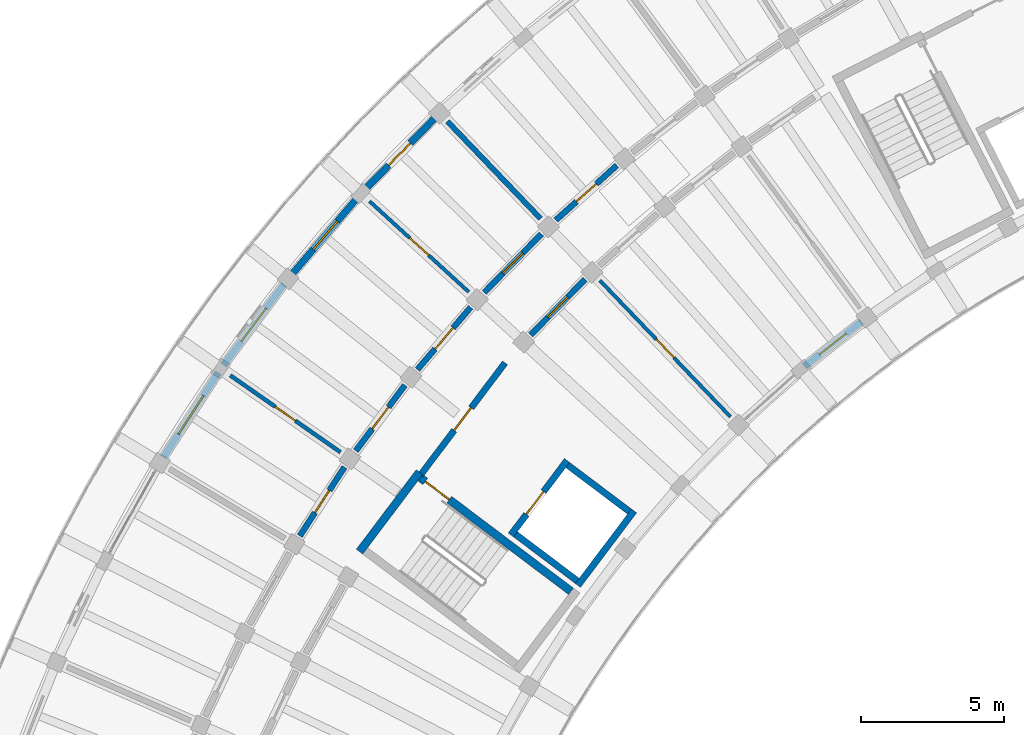
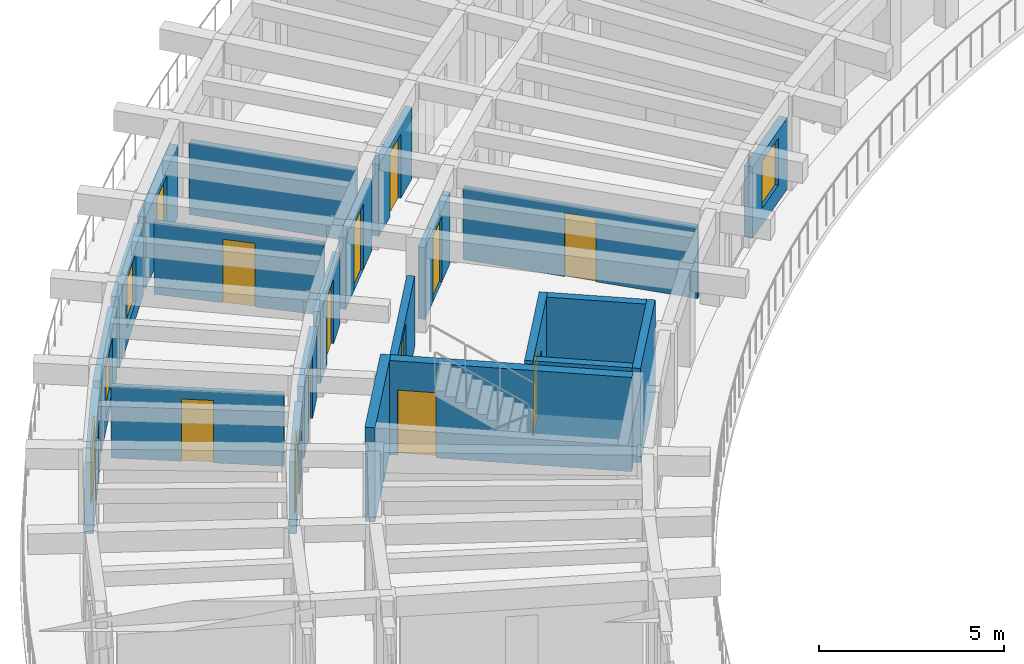
# One storey, part 43 of 78: 22 walls, 13 doors, 4 windows, 17 openings.
"""IFC4 building model written with IfcOpenShell, lengths in metres."""

from ifc_helpers import new_model, si_unit, direction, frame, frame_2d, origin, place, context, subcontext, project, spatial, rectangle, extrude, material, layer, layer_set, type_object, element, fill, save


model = new_model("IFC4")

# Units and contexts
model_context = context("Model", 3, precision=1e-05, world=origin(), true_north=direction((0.0, 1.0)))
body_context = subcontext(model_context, "Body", "Model", "MODEL_VIEW")
ifc_project = project(units=[si_unit("LENGTHUNIT", "METRE"), si_unit("AREAUNIT", "SQUARE_METRE"), si_unit("VOLUMEUNIT", "CUBIC_METRE"), si_unit("PLANEANGLEUNIT", "RADIAN"), si_unit("MASSUNIT", "GRAM", prefix="KILO")], contexts=[model_context])

# Site, building, storey
site_placement = place(None, origin())
site = spatial("IfcSite", under=ifc_project, at=site_placement, CompositionType="ELEMENT")
building_placement = place(site_placement, origin())
building = spatial("IfcBuilding", under=site, at=building_placement, Name="Tanwirah Colonnade Gardens", CompositionType="ELEMENT")
storey_placement = place(building_placement, frame((0.0, 0.0, 22.280029296875)))
storey = spatial("IfcBuildingStorey", under=building, at=storey_placement, Name="L06", CompositionType="ELEMENT", Elevation=22.280029296875)

# Wall, opening, window
ifc_material_1 = material(Name="Limestone architectural precast concrete C40/50", Category="masonry")
ifc_layer_1 = layer(ifc_material_1, 0.2451171875)
ifc_layer_set_1 = layer_set([ifc_layer_1], Name="Limestone architectural precast concrete C40/50")
wall_type_1 = type_object("IfcWallType", Name="EW-PC245", PredefinedType="SOLIDWALL", material=ifc_layer_set_1)
wall_1_placement = place(storey_placement, frame((38.541015625, 95.907958984375, 0.0), z_axis=(0.0, 0.0, 1.0), x_axis=(-0.786831325151, -0.617168101704, 0.0)))
wall_1 = element("IfcWall", 1, at=wall_1_placement, inside=storey, type_object=wall_type_1, Name="Block A L06 IN Precast Facade Wall 8", PredefinedType="SOLIDWALL", context=body_context, shape_type="SweptSolid", body=[
    extrude(rectangle(XDim=2.525390625, YDim=0.2451171875, at=frame_2d((1.2626953125, 0.0))), origin(), (0.0, 0.0, 1.0), 2.35498046875),
])
opening_1_placement = place(wall_1_placement, frame((0.66259765625, 0.0, 0.550048828125)))
opening_1 = element("IfcOpeningElement", 2, at=opening_1_placement, cuts=wall_1, Name="Opening WIN-T02", PredefinedType="OPENING", context=body_context, shape_type="SweptSolid", body=[
    extrude(rectangle(XDim=1.199951171875, YDim=1.550048828125, at=frame_2d((0.60009765625, 0.77490234375))), frame((0.0, 0.132568359375, 0.0), z_axis=(0.0, -1.0, 0.0), x_axis=(1.0, 0.0, 0.0)), (0.0, 0.0, 1.0), 0.26513671875),
])
ifc_material_2 = material(Name="Thermally broken bronze aluminium and solar low-E double glazing", Category="aluminium")
window_type_1 = type_object("IfcWindowType", Name="WIN-T02", PartitioningType="SINGLE_PANEL", PredefinedType="WINDOW", material=ifc_material_2)
window_1_placement = place(opening_1_placement, origin())
window_1 = element("IfcWindow", 3, at=window_1_placement, inside=storey, type_object=window_type_1, Name="Facade window A-L06-IN-08", OverallHeight=1.550048828125, OverallWidth=1.199951171875, PartitioningType="SINGLE_PANEL", PredefinedType="WINDOW", context=body_context, shape_type="SweptSolid", body=[
    extrude(rectangle(XDim=1.199951171875, YDim=1.550048828125, at=frame_2d((0.60009765625, 0.77490234375))), frame((0.0, 0.030029296875, 0.0), z_axis=(0.0, -1.0, 0.0), x_axis=(1.0, 0.0, 0.0)), (0.0, 0.0, 1.0), 0.06005859375),
])
fill(opening_1, window_1)

# Wall, opening, door
wall_2_placement = place(storey_placement, frame((23.62841796875, 103.021484375, 0.0), z_axis=(0.0, 0.0, 1.0), x_axis=(-0.698841852324, -0.715276216186, 0.0)))
wall_2 = element("IfcWall", 4, at=wall_2_placement, inside=storey, type_object=wall_type_1, Name="Block A L06 OUT Precast Facade Wall 10", PredefinedType="SOLIDWALL", context=body_context, shape_type="SweptSolid", body=[
    extrude(rectangle(XDim=3.520751953125, YDim=0.2451171875, at=frame_2d((1.76025390625, 0.0))), origin(), (0.0, 0.0, 1.0), 2.35498046875),
])
opening_2_placement = place(wall_2_placement, frame((1.22021484375, 0.0, 0.0)))
opening_2 = element("IfcOpeningElement", 5, at=opening_2_placement, cuts=wall_2, Name="Opening L06-ED030", PredefinedType="OPENING", context=body_context, shape_type="SweptSolid", body=[
    extrude(rectangle(XDim=1.080078125, YDim=2.14990234375, at=frame_2d((0.5400390625, 1.074951171875))), frame((0.0, 0.132568359375, 0.0), z_axis=(0.0, -1.0, 0.0), x_axis=(1.0, 0.0, 0.0)), (0.0, 0.0, 1.0), 0.26513671875),
])
ifc_material_3 = material(Name="Bronze aluminium glazed balcony door", Category="aluminium")
door_type_1 = type_object("IfcDoorType", Name="ED-BAL108", OperationType="NOTDEFINED", PredefinedType="DOOR", material=ifc_material_3)
door_1_placement = place(opening_2_placement, origin())
door_1 = element("IfcDoor", 6, at=door_1_placement, inside=storey, type_object=door_type_1, Name="Balcony glazed door L06-ED030", OperationType="SINGLE_SWING_LEFT", OverallHeight=2.14990234375, OverallWidth=1.080078125, PredefinedType="DOOR", context=body_context, shape_type="SweptSolid", body=[
    extrude(rectangle(XDim=1.080078125, YDim=2.14990234375, at=frame_2d((0.5400390625, 1.074951171875))), frame((0.0, 0.02490234375, 0.0), z_axis=(0.0, -1.0, 0.0), x_axis=(1.0, 0.0, 0.0)), (0.0, 0.0, 1.0), 0.050048828125),
])
fill(opening_2, door_1)

# Wall, opening, window
wall_3_placement = place(storey_placement, frame((20.9521484375, 100.267333984375, 0.0), z_axis=(0.0, 0.0, 1.0), x_axis=(-0.65016298181, -0.759794773004, 0.0)))
wall_3 = element("IfcWall", 7, at=wall_3_placement, inside=storey, type_object=wall_type_1, Name="Block A L06 OUT Precast Facade Wall 11", PredefinedType="SOLIDWALL", context=body_context, shape_type="SweptSolid", body=[
    extrude(rectangle(XDim=3.520751953125, YDim=0.2451171875, at=frame_2d((1.76025390625, 0.0))), origin(), (0.0, 0.0, 1.0), 2.35498046875),
])
opening_3_placement = place(wall_3_placement, frame((1.1103515625, 0.0, 0.550048828125)))
opening_3 = element("IfcOpeningElement", 8, at=opening_3_placement, cuts=wall_3, Name="Opening WIN-T04", PredefinedType="OPENING", context=body_context, shape_type="SweptSolid", body=[
    extrude(rectangle(XDim=1.300048828125, YDim=1.60009765625, at=frame_2d((0.64990234375, 0.800048828125))), frame((0.0, 0.132568359375, 0.0), z_axis=(0.0, -1.0, 0.0), x_axis=(1.0, 0.0, 0.0)), (0.0, 0.0, 1.0), 0.26513671875),
])
window_type_2 = type_object("IfcWindowType", Name="WIN-T04", PartitioningType="DOUBLE_PANEL_VERTICAL", PredefinedType="WINDOW", material=ifc_material_2)
window_2_placement = place(opening_3_placement, origin())
window_2 = element("IfcWindow", 9, at=window_2_placement, inside=storey, type_object=window_type_2, Name="Facade window A-L06-OUT-11", OverallHeight=1.60009765625, OverallWidth=1.300048828125, PartitioningType="SINGLE_PANEL", PredefinedType="WINDOW", context=body_context, shape_type="SweptSolid", body=[
    extrude(rectangle(XDim=1.300048828125, YDim=1.60009765625, at=frame_2d((0.64990234375, 0.800048828125))), frame((0.0, 0.030029296875, 0.0), z_axis=(0.0, -1.0, 0.0), x_axis=(1.0, 0.0, 0.0)), (0.0, 0.0, 1.0), 0.06005859375),
])
fill(opening_3, window_2)

wall_4_placement = place(storey_placement, frame((18.35693359375, 97.2099609375, 0.0), z_axis=(0.0, 0.0, 1.0), x_axis=(-0.598701122926, -0.800972512267, 0.0)))
wall_4 = element("IfcWall", 10, at=wall_4_placement, inside=storey, type_object=wall_type_1, Name="Block A L06 OUT Precast Facade Wall 12", PredefinedType="SOLIDWALL", context=body_context, shape_type="SweptSolid", body=[
    extrude(rectangle(XDim=3.520751953125, YDim=0.2451171875, at=frame_2d((1.76025390625, 0.0))), origin(), (0.0, 0.0, 1.0), 2.35498046875),
])
opening_4_placement = place(wall_4_placement, frame((1.035400390625, 0.0, 0.35009765625)))
opening_4 = element("IfcOpeningElement", 11, at=opening_4_placement, cuts=wall_4, Name="Opening WIN-T07", PredefinedType="OPENING", context=body_context, shape_type="SweptSolid", body=[
    extrude(rectangle(XDim=1.449951171875, YDim=1.699951171875, at=frame_2d((0.72509765625, 0.85009765625))), frame((0.0, 0.132568359375, 0.0), z_axis=(0.0, -1.0, 0.0), x_axis=(1.0, 0.0, 0.0)), (0.0, 0.0, 1.0), 0.26513671875),
])
window_type_3 = type_object("IfcWindowType", Name="WIN-T07", PartitioningType="DOUBLE_PANEL_VERTICAL", PredefinedType="WINDOW", material=ifc_material_2)
window_3_placement = place(opening_4_placement, origin())
window_3 = element("IfcWindow", 12, at=window_3_placement, inside=storey, type_object=window_type_3, Name="Facade window A-L06-OUT-12", OverallHeight=1.699951171875, OverallWidth=1.449951171875, PartitioningType="SINGLE_PANEL", PredefinedType="WINDOW", context=body_context, shape_type="SweptSolid", body=[
    extrude(rectangle(XDim=1.449951171875, YDim=1.699951171875, at=frame_2d((0.72509765625, 0.85009765625))), frame((0.0, 0.030029296875, 0.0), z_axis=(0.0, -1.0, 0.0), x_axis=(1.0, 0.0, 0.0)), (0.0, 0.0, 1.0), 0.06005859375),
])
fill(opening_4, window_3)

wall_5_placement = place(storey_placement, frame((16.066162109375, 94.127685546875, 0.0), z_axis=(0.0, 0.0, 1.0), x_axis=(-0.544610510414, -0.838689091349, 0.0)))
wall_5 = element("IfcWall", 13, at=wall_5_placement, inside=storey, type_object=wall_type_1, Name="Block A L06 OUT Precast Facade Wall 13", PredefinedType="SOLIDWALL", context=body_context, shape_type="SweptSolid", body=[
    extrude(rectangle(XDim=3.520751953125, YDim=0.2451171875, at=frame_2d((1.76025390625, 0.0))), origin(), (0.0, 0.0, 1.0), 2.35498046875),
])
opening_5_placement = place(wall_5_placement, frame((0.960205078125, 0.0, 0.35009765625)))
opening_5 = element("IfcOpeningElement", 14, at=opening_5_placement, cuts=wall_5, Name="Opening WIN-T10", PredefinedType="OPENING", context=body_context, shape_type="SweptSolid", body=[
    extrude(rectangle(XDim=1.60009765625, YDim=1.75, at=frame_2d((0.800048828125, 0.875))), frame((0.0, 0.132568359375, 0.0), z_axis=(0.0, -1.0, 0.0), x_axis=(1.0, 0.0, 0.0)), (0.0, 0.0, 1.0), 0.26513671875),
])
window_type_4 = type_object("IfcWindowType", Name="WIN-T10", PartitioningType="DOUBLE_PANEL_VERTICAL", PredefinedType="WINDOW", material=ifc_material_2)
window_4_placement = place(opening_5_placement, origin())
window_4 = element("IfcWindow", 15, at=window_4_placement, inside=storey, type_object=window_type_4, Name="Facade window A-L06-OUT-13", OverallHeight=1.75, OverallWidth=1.60009765625, PartitioningType="SINGLE_PANEL", PredefinedType="WINDOW", context=body_context, shape_type="SweptSolid", body=[
    extrude(rectangle(XDim=1.60009765625, YDim=1.75, at=frame_2d((0.800048828125, 0.875))), frame((0.0, 0.030029296875, 0.0), z_axis=(0.0, -1.0, 0.0), x_axis=(1.0, 0.0, 0.0)), (0.0, 0.0, 1.0), 0.06005859375),
])
fill(opening_5, window_4)

# Wall, opening, door
ifc_material_4 = material(Name="Precast concrete C40/50", Category="concrete")
ifc_layer_2 = layer(ifc_material_4, 0.205078125)
ifc_layer_set_2 = layer_set([ifc_layer_2], Name="Precast concrete C40/50")
wall_type_2 = type_object("IfcWallType", Name="IW-CORR205", PredefinedType="PARTITIONING", material=ifc_layer_set_2)
wall_6_placement = place(storey_placement, frame((29.996826171875, 101.37109375, 0.0), z_axis=(0.0, 0.0, 1.0), x_axis=(-0.744433521088, -0.667696587291, 0.0)))
wall_6 = element("IfcWall", 16, at=wall_6_placement, inside=storey, type_object=wall_type_2, Name="Block A L06 OUT Corridor Wall 9", PredefinedType="PARTITIONING", context=body_context, shape_type="SweptSolid", body=[
    extrude(rectangle(XDim=2.86328125, YDim=0.205078125, at=frame_2d((1.431640625, 0.0))), origin(), (0.0, 0.0, 1.0), 2.369873046875),
])
opening_6_placement = place(wall_6_placement, frame((0.966552734375, 0.0, 0.0)))
opening_6 = element("IfcOpeningElement", 17, at=opening_6_placement, cuts=wall_6, Name="Opening L06-AD493", PredefinedType="OPENING", context=body_context, shape_type="SweptSolid", body=[
    extrude(rectangle(XDim=0.929931640625, YDim=2.1201171875, at=frame_2d((0.46484375, 1.06005859375))), frame((0.0, 0.112548828125, 0.0), z_axis=(0.0, -1.0, 0.0), x_axis=(1.0, 0.0, 0.0)), (0.0, 0.0, 1.0), 0.22509765625),
])
ifc_material_5 = material(Name="Solid oak fire-resisting apartment entrance door")
door_type_2 = type_object("IfcDoorType", Name="ID-FLT093", OperationType="NOTDEFINED", PredefinedType="DOOR", material=ifc_material_5)
door_2_placement = place(opening_6_placement, origin())
door_2 = element("IfcDoor", 18, at=door_2_placement, inside=storey, type_object=door_type_2, Name="Apartment corridor door L06-AD493", OperationType="SINGLE_SWING_RIGHT", OverallHeight=2.1201171875, OverallWidth=0.929931640625, PredefinedType="DOOR", context=body_context, shape_type="SweptSolid", body=[
    extrude(rectangle(XDim=0.929931640625, YDim=2.1201171875, at=frame_2d((0.46484375, 1.06005859375))), frame((0.0, 0.02490234375, 0.0), z_axis=(0.0, -1.0, 0.0), x_axis=(1.0, 0.0, 0.0)), (0.0, 0.0, 1.0), 0.050048828125),
])
fill(opening_6, door_2)

wall_7_placement = place(storey_placement, frame((27.360107421875, 98.975341796875, 0.0), z_axis=(0.0, 0.0, 1.0), x_axis=(-0.698787219683, -0.715329589496, 0.0)))
wall_7 = element("IfcWall", 19, at=wall_7_placement, inside=storey, type_object=wall_type_2, Name="Block A L06 OUT Corridor Wall 10", PredefinedType="PARTITIONING", context=body_context, shape_type="SweptSolid", body=[
    extrude(rectangle(XDim=2.863037109375, YDim=0.205078125, at=frame_2d((1.431640625, 0.0))), origin(), (0.0, 0.0, 1.0), 2.369873046875),
])
opening_7_placement = place(wall_7_placement, frame((0.9365234375, 0.0, 0.0)))
opening_7 = element("IfcOpeningElement", 20, at=opening_7_placement, cuts=wall_7, Name="Opening L06-AD496", PredefinedType="OPENING", context=body_context, shape_type="SweptSolid", body=[
    extrude(rectangle(XDim=0.989990234375, YDim=2.159912109375, at=frame_2d((0.4951171875, 1.080078125))), frame((0.0, 0.112548828125, 0.0), z_axis=(0.0, -1.0, 0.0), x_axis=(1.0, 0.0, 0.0)), (0.0, 0.0, 1.0), 0.22509765625),
])
door_type_3 = type_object("IfcDoorType", Name="ID-FLT099", OperationType="NOTDEFINED", PredefinedType="DOOR", material=ifc_material_5)
door_3_placement = place(opening_7_placement, origin())
door_3 = element("IfcDoor", 21, at=door_3_placement, inside=storey, type_object=door_type_3, Name="Apartment corridor door L06-AD496", OperationType="SINGLE_SWING_LEFT", OverallHeight=2.159912109375, OverallWidth=0.989990234375, PredefinedType="DOOR", context=body_context, shape_type="SweptSolid", body=[
    extrude(rectangle(XDim=0.989990234375, YDim=2.159912109375, at=frame_2d((0.4951171875, 1.080078125))), frame((0.0, 0.02490234375, 0.0), z_axis=(0.0, -1.0, 0.0), x_axis=(1.0, 0.0, 0.0)), (0.0, 0.0, 1.0), 0.050048828125),
])
fill(opening_7, door_3)

wall_8_placement = place(storey_placement, frame((28.88232421875, 97.38671875, 0.0), z_axis=(0.0, 0.0, 1.0), x_axis=(-0.698840007829, -0.715278018296, 0.0)))
wall_8 = element("IfcWall", 22, at=wall_8_placement, inside=storey, type_object=wall_type_2, Name="Block A L06 IN Corridor Wall 10", PredefinedType="PARTITIONING", context=body_context, shape_type="SweptSolid", body=[
    extrude(rectangle(XDim=2.718017578125, YDim=0.205078125, at=frame_2d((1.35888671875, 0.0))), origin(), (0.0, 0.0, 1.0), 2.369873046875),
])
opening_8_placement = place(wall_8_placement, frame((0.864013671875, 0.0, 0.0)))
opening_8 = element("IfcOpeningElement", 23, at=opening_8_placement, cuts=wall_8, Name="Opening L06-AD497", PredefinedType="OPENING", context=body_context, shape_type="SweptSolid", body=[
    extrude(rectangle(XDim=0.989990234375, YDim=2.159912109375, at=frame_2d((0.4951171875, 1.080078125))), frame((0.0, 0.112548828125, 0.0), z_axis=(0.0, -1.0, 0.0), x_axis=(1.0, 0.0, 0.0)), (0.0, 0.0, 1.0), 0.22509765625),
])
door_4_placement = place(opening_8_placement, origin())
door_4 = element("IfcDoor", 24, at=door_4_placement, inside=storey, type_object=door_type_3, Name="Apartment corridor door L06-AD497", OperationType="SINGLE_SWING_RIGHT", OverallHeight=2.159912109375, OverallWidth=0.989990234375, PredefinedType="DOOR", context=body_context, shape_type="SweptSolid", body=[
    extrude(rectangle(XDim=0.989990234375, YDim=2.159912109375, at=frame_2d((0.4951171875, 1.080078125))), frame((0.0, 0.02490234375, 0.0), z_axis=(0.0, -1.0, 0.0), x_axis=(1.0, 0.0, 0.0)), (0.0, 0.0, 1.0), 0.050048828125),
])
fill(opening_8, door_4)

wall_9_placement = place(storey_placement, frame((24.88720703125, 96.4111328125, 0.0), z_axis=(0.0, 0.0, 1.0), x_axis=(-0.650194272684, -0.759767996015, 0.0)))
wall_9 = element("IfcWall", 25, at=wall_9_placement, inside=storey, type_object=wall_type_2, Name="Block A L06 OUT Corridor Wall 11", PredefinedType="PARTITIONING", context=body_context, shape_type="SweptSolid", body=[
    extrude(rectangle(XDim=2.863037109375, YDim=0.205078125, at=frame_2d((1.431640625, 0.0))), origin(), (0.0, 0.0, 1.0), 2.369873046875),
])
opening_9_placement = place(wall_9_placement, frame((0.946533203125, 0.0, 0.0)))
opening_9 = element("IfcOpeningElement", 26, at=opening_9_placement, cuts=wall_9, Name="Opening L06-AD499", PredefinedType="OPENING", context=body_context, shape_type="SweptSolid", body=[
    extrude(rectangle(XDim=0.969970703125, YDim=2.14990234375, at=frame_2d((0.48486328125, 1.074951171875))), frame((0.0, 0.112548828125, 0.0), z_axis=(0.0, -1.0, 0.0), x_axis=(1.0, 0.0, 0.0)), (0.0, 0.0, 1.0), 0.22509765625),
])
door_type_4 = type_object("IfcDoorType", Name="ID-FLT097", OperationType="NOTDEFINED", PredefinedType="DOOR", material=ifc_material_5)
door_5_placement = place(opening_9_placement, origin())
door_5 = element("IfcDoor", 27, at=door_5_placement, inside=storey, type_object=door_type_4, Name="Apartment corridor door L06-AD499", OperationType="SINGLE_SWING_RIGHT", OverallHeight=2.14990234375, OverallWidth=0.969970703125, PredefinedType="DOOR", context=body_context, shape_type="SweptSolid", body=[
    extrude(rectangle(XDim=0.969970703125, YDim=2.14990234375, at=frame_2d((0.48486328125, 1.074951171875))), frame((0.0, 0.02490234375, 0.0), z_axis=(0.0, -1.0, 0.0), x_axis=(1.0, 0.0, 0.0)), (0.0, 0.0, 1.0), 0.050048828125),
])
fill(opening_9, door_5)

wall_10_placement = place(storey_placement, frame((22.588623046875, 93.689453125, 0.0), z_axis=(0.0, 0.0, 1.0), x_axis=(-0.598757763243, -0.800930172335, 0.0)))
wall_10 = element("IfcWall", 28, at=wall_10_placement, inside=storey, type_object=wall_type_2, Name="Block A L06 OUT Corridor Wall 12", PredefinedType="PARTITIONING", context=body_context, shape_type="SweptSolid", body=[
    extrude(rectangle(XDim=2.86328125, YDim=0.205078125, at=frame_2d((1.431640625, 0.0))), origin(), (0.0, 0.0, 1.0), 2.369873046875),
])
opening_10_placement = place(wall_10_placement, frame((0.95654296875, 0.0, 0.0)))
opening_10 = element("IfcOpeningElement", 29, at=opening_10_placement, cuts=wall_10, Name="Opening L06-AD500", PredefinedType="OPENING", context=body_context, shape_type="SweptSolid", body=[
    extrude(rectangle(XDim=0.949951171875, YDim=2.1298828125, at=frame_2d((0.47509765625, 1.06494140625))), frame((0.0, 0.112548828125, 0.0), z_axis=(0.0, -1.0, 0.0), x_axis=(1.0, 0.0, 0.0)), (0.0, 0.0, 1.0), 0.22509765625),
])
door_type_5 = type_object("IfcDoorType", Name="ID-FLT095", OperationType="NOTDEFINED", PredefinedType="DOOR", material=ifc_material_5)
door_6_placement = place(opening_10_placement, origin())
door_6 = element("IfcDoor", 30, at=door_6_placement, inside=storey, type_object=door_type_5, Name="Apartment corridor door L06-AD500", OperationType="SINGLE_SWING_LEFT", OverallHeight=2.1298828125, OverallWidth=0.949951171875, PredefinedType="DOOR", context=body_context, shape_type="SweptSolid", body=[
    extrude(rectangle(XDim=0.949951171875, YDim=2.1298828125, at=frame_2d((0.47509765625, 1.06494140625))), frame((0.0, 0.02490234375, 0.0), z_axis=(0.0, -1.0, 0.0), x_axis=(1.0, 0.0, 0.0)), (0.0, 0.0, 1.0), 0.050048828125),
])
fill(opening_10, door_6)

wall_11_placement = place(storey_placement, frame((20.47412109375, 90.822265625, 0.0), z_axis=(0.0, 0.0, 1.0), x_axis=(-0.544643612649, -0.838667595178, 0.0)))
wall_11 = element("IfcWall", 31, at=wall_11_placement, inside=storey, type_object=wall_type_2, Name="Block A L06 OUT Corridor Wall 13", PredefinedType="PARTITIONING", context=body_context, shape_type="SweptSolid", body=[
    extrude(rectangle(XDim=2.863037109375, YDim=0.205078125, at=frame_2d((1.431640625, 0.0))), origin(), (0.0, 0.0, 1.0), 2.369873046875),
])
opening_11_placement = place(wall_11_placement, frame((0.966552734375, 0.0, 0.0)))
opening_11 = element("IfcOpeningElement", 32, at=opening_11_placement, cuts=wall_11, Name="Opening L06-AD502", PredefinedType="OPENING", context=body_context, shape_type="SweptSolid", body=[
    extrude(rectangle(XDim=0.929931640625, YDim=2.1201171875, at=frame_2d((0.46484375, 1.06005859375))), frame((0.0, 0.112548828125, 0.0), z_axis=(0.0, -1.0, 0.0), x_axis=(1.0, 0.0, 0.0)), (0.0, 0.0, 1.0), 0.22509765625),
])
door_7_placement = place(opening_11_placement, origin())
door_7 = element("IfcDoor", 33, at=door_7_placement, inside=storey, type_object=door_type_2, Name="Apartment corridor door L06-AD502", OperationType="SINGLE_SWING_RIGHT", OverallHeight=2.1201171875, OverallWidth=0.929931640625, PredefinedType="DOOR", context=body_context, shape_type="SweptSolid", body=[
    extrude(rectangle(XDim=0.929931640625, YDim=2.1201171875, at=frame_2d((0.46484375, 1.06005859375))), frame((0.0, 0.02490234375, 0.0), z_axis=(0.0, -1.0, 0.0), x_axis=(1.0, 0.0, 0.0)), (0.0, 0.0, 1.0), 0.050048828125),
])
fill(opening_11, door_7)

# Wall
ifc_layer_3 = layer(ifc_material_4, 0.18505859375)
ifc_layer_set_3 = layer_set([ifc_layer_3], Name="Precast concrete C40/50")
wall_type_3 = type_object("IfcWallType", Name="IW-DEM185", PredefinedType="PARTITIONING", material=ifc_layer_set_3)
wall_12_placement = place(storey_placement, frame((27.328125, 99.514404296875, 0.0), z_axis=(0.0, 0.0, 1.0), x_axis=(-0.691882799356, 0.722009828157, 0.0)))
element("IfcWall", 34, at=wall_12_placement, inside=storey, type_object=wall_type_3, Name="Block A L06 Radial Partition 9", PredefinedType="PARTITIONING", context=body_context, shape_type="SweptSolid", body=[
    extrude(rectangle(XDim=4.7001953125, YDim=0.18505859375, at=frame_2d((2.35009765625, 0.0))), origin(), (0.0, 0.0, 1.0), 2.369873046875),
])

# Wall, opening, door
ifc_material_6 = material(Name="Autoclaved aerated masonry blockwork", Category="masonry")
ifc_layer_4 = layer(ifc_material_6, 0.219970703125)
ifc_layer_set_4 = layer_set([ifc_layer_4], Name="Autoclaved aerated masonry blockwork")
wall_type_4 = type_object("IfcWallType", Name="IW-FFL220", PredefinedType="PARTITIONING", material=ifc_layer_set_4)
wall_13_placement = place(storey_placement, frame((23.138916015625, 90.55517578125, 0.0), z_axis=(0.0, 0.0, 1.0), x_axis=(0.601792209296, 0.79865270101, 0.0)))
wall_13 = element("IfcWall", 35, at=wall_13_placement, inside=storey, type_object=wall_type_4, Name="CORE-A2 L06 Enclosed Lobby Fire Wall", PredefinedType="PARTITIONING", context=body_context, shape_type="SweptSolid", body=[
    extrude(rectangle(XDim=4.89990234375, YDim=0.219970703125, at=frame_2d((2.449951171875, 0.0))), origin(), (0.0, 0.0, 1.0), 2.340087890625),
])
opening_12_placement = place(wall_13_placement, frame((1.949951171875, 0.0, 0.0)))
opening_12 = element("IfcOpeningElement", 36, at=opening_12_placement, cuts=wall_13, Name="Opening L06-LD056", PredefinedType="OPENING", context=body_context, shape_type="SweptSolid", body=[
    extrude(rectangle(XDim=0.97998046875, YDim=2.139892578125, at=frame_2d((0.489990234375, 1.06982421875))), frame((0.0, 0.119873046875, 0.0), z_axis=(0.0, -1.0, 0.0), x_axis=(1.0, 0.0, 0.0)), (0.0, 0.0, 1.0), 0.239990234375),
])
ifc_material_7 = material(Name="Acoustic fire-resisting lobby door")
door_type_6 = type_object("IfcDoorType", Name="ID-FFL098", OperationType="NOTDEFINED", PredefinedType="DOOR", material=ifc_material_7)
door_8_placement = place(opening_12_placement, origin())
door_8 = element("IfcDoor", 37, at=door_8_placement, inside=storey, type_object=door_type_6, Name="CORE-A2 L06 Lobby Fire Door L06-LD056", OperationType="SINGLE_SWING_LEFT", OverallHeight=2.139892578125, OverallWidth=0.97998046875, PredefinedType="DOOR", context=body_context, shape_type="SweptSolid", body=[
    extrude(rectangle(XDim=0.97998046875, YDim=2.139892578125, at=frame_2d((0.489990234375, 1.06982421875))), frame((0.0, 0.02490234375, 0.0), z_axis=(0.0, -1.0, 0.0), x_axis=(1.0, 0.0, 0.0)), (0.0, 0.0, 1.0), 0.050048828125),
])
fill(opening_12, door_8)

ifc_material_8 = material(Name="Moisture-resistant gypsum stud partition")
ifc_layer_5 = layer(ifc_material_8, 0.125)
ifc_layer_set_5 = layer_set([ifc_layer_5], Name="Moisture-resistant gypsum stud partition")
wall_type_5 = type_object("IfcWallType", Name="IW-INT125", PredefinedType="PARTITIONING", material=ifc_layer_set_5)
wall_14_placement = place(storey_placement, frame((33.969970703125, 92.5830078125, 0.0), z_axis=(0.0, 0.0, 1.0), x_axis=(-0.691872422458, 0.722019771919, 0.0)))
wall_14 = element("IfcWall", 38, at=wall_14_placement, inside=storey, type_object=wall_type_5, Name="Block A L06 Inner Radial Partition 9", PredefinedType="PARTITIONING", context=body_context, shape_type="SweptSolid", body=[
    extrude(rectangle(XDim=6.60009765625, YDim=0.125, at=frame_2d((3.300048828125, 0.0))), origin(), (0.0, 0.0, 1.0), 2.369873046875),
])
opening_13_placement = place(wall_14_placement, frame((2.85498046875, 0.0, 0.0)))
opening_13 = element("IfcOpeningElement", 39, at=opening_13_placement, cuts=wall_14, Name="Opening L06-RD495", PredefinedType="OPENING", context=body_context, shape_type="SweptSolid", body=[
    extrude(rectangle(XDim=0.889892578125, YDim=2.10009765625, at=frame_2d((0.44482421875, 1.050048828125))), frame((0.0, 0.072509765625, 0.0), z_axis=(0.0, -1.0, 0.0), x_axis=(1.0, 0.0, 0.0)), (0.0, 0.0, 1.0), 0.14501953125),
])
ifc_material_9 = material(Name="Painted hardwood bedroom door", Category="wood")
door_type_7 = type_object("IfcDoorType", Name="ID-RM089", OperationType="NOTDEFINED", PredefinedType="DOOR", material=ifc_material_9)
door_9_placement = place(opening_13_placement, origin())
door_9 = element("IfcDoor", 40, at=door_9_placement, inside=storey, type_object=door_type_7, Name="Internal apartment door L06-RD495", OperationType="SINGLE_SWING_LEFT", OverallHeight=2.10009765625, OverallWidth=0.889892578125, PredefinedType="DOOR", context=body_context, shape_type="SweptSolid", body=[
    extrude(rectangle(XDim=0.889892578125, YDim=2.10009765625, at=frame_2d((0.44482421875, 1.050048828125))), frame((0.0, 0.02490234375, 0.0), z_axis=(0.0, -1.0, 0.0), x_axis=(1.0, 0.0, 0.0)), (0.0, 0.0, 1.0), 0.050048828125),
])
fill(opening_13, door_9)

wall_15_placement = place(storey_placement, frame((24.819580078125, 96.947021484375, 0.0), z_axis=(0.0, 0.0, 1.0), x_axis=(-0.737934199263, 0.674872667663, 0.0)))
wall_15 = element("IfcWall", 41, at=wall_15_placement, inside=storey, type_object=wall_type_5, Name="Block A L06 Radial Partition 10", PredefinedType="PARTITIONING", context=body_context, shape_type="SweptSolid", body=[
    extrude(rectangle(XDim=4.699951171875, YDim=0.125, at=frame_2d((2.35009765625, 0.0))), origin(), (0.0, 0.0, 1.0), 2.369873046875),
])
opening_14_placement = place(wall_15_placement, frame((1.905029296875, 0.0, 0.0)))
opening_14 = element("IfcOpeningElement", 42, at=opening_14_placement, cuts=wall_15, Name="Opening L06-RD498", PredefinedType="OPENING", context=body_context, shape_type="SweptSolid", body=[
    extrude(rectangle(XDim=0.889892578125, YDim=2.10009765625, at=frame_2d((0.44482421875, 1.050048828125))), frame((0.0, 0.072509765625, 0.0), z_axis=(0.0, -1.0, 0.0), x_axis=(1.0, 0.0, 0.0)), (0.0, 0.0, 1.0), 0.14501953125),
])
door_10_placement = place(opening_14_placement, origin())
door_10 = element("IfcDoor", 43, at=door_10_placement, inside=storey, type_object=door_type_7, Name="Internal apartment door L06-RD498", OperationType="SINGLE_SWING_LEFT", OverallHeight=2.10009765625, OverallWidth=0.889892578125, PredefinedType="DOOR", context=body_context, shape_type="SweptSolid", body=[
    extrude(rectangle(XDim=0.889892578125, YDim=2.10009765625, at=frame_2d((0.44482421875, 1.050048828125))), frame((0.0, 0.02490234375, 0.0), z_axis=(0.0, -1.0, 0.0), x_axis=(1.0, 0.0, 0.0)), (0.0, 0.0, 1.0), 0.050048828125),
])
fill(opening_14, door_10)

ifc_material_10 = material(Name="Water-resistant acoustic plumbing partition")
ifc_layer_6 = layer(ifc_material_10, 0.139892578125)
ifc_layer_set_6 = layer_set([ifc_layer_6], Name="Water-resistant acoustic plumbing partition")
wall_type_6 = type_object("IfcWallType", Name="IW-WET140", PredefinedType="PLUMBINGWALL", material=ifc_layer_set_6)
wall_16_placement = place(storey_placement, frame((20.336669921875, 91.3447265625, 0.0), z_axis=(0.0, 0.0, 1.0), x_axis=(-0.820272617205, 0.571972755876, 0.0)))
wall_16 = element("IfcWall", 44, at=wall_16_placement, inside=storey, type_object=wall_type_6, Name="Block A L06 Radial Partition 12", PredefinedType="PLUMBINGWALL", context=body_context, shape_type="SweptSolid", body=[
    extrude(rectangle(XDim=4.699951171875, YDim=0.139892578125, at=frame_2d((2.35009765625, 0.0))), origin(), (0.0, 0.0, 1.0), 2.369873046875),
])
opening_15_placement = place(wall_16_placement, frame((1.919921875, 0.0, 0.0)))
opening_15 = element("IfcOpeningElement", 45, at=opening_15_placement, cuts=wall_16, Name="Opening L06-RD501", PredefinedType="OPENING", context=body_context, shape_type="SweptSolid", body=[
    extrude(rectangle(XDim=0.860107421875, YDim=2.06005859375, at=frame_2d((0.43017578125, 1.030029296875))), frame((0.0, 0.079833984375, 0.0), z_axis=(0.0, -1.0, 0.0), x_axis=(1.0, 0.0, 0.0)), (0.0, 0.0, 1.0), 0.159912109375),
])
ifc_material_11 = material(Name="Moisture-resistant bathroom door")
door_type_8 = type_object("IfcDoorType", Name="ID-WET086", OperationType="NOTDEFINED", PredefinedType="DOOR", material=ifc_material_11)
door_11_placement = place(opening_15_placement, origin())
door_11 = element("IfcDoor", 46, at=door_11_placement, inside=storey, type_object=door_type_8, Name="Internal apartment door L06-RD501", OperationType="SINGLE_SWING_LEFT", OverallHeight=2.06005859375, OverallWidth=0.860107421875, PredefinedType="DOOR", context=body_context, shape_type="SweptSolid", body=[
    extrude(rectangle(XDim=0.860107421875, YDim=2.06005859375, at=frame_2d((0.43017578125, 1.030029296875))), frame((0.0, 0.02490234375, 0.0), z_axis=(0.0, -1.0, 0.0), x_axis=(1.0, 0.0, 0.0)), (0.0, 0.0, 1.0), 0.050048828125),
])
fill(opening_15, door_11)

# Wall
ifc_material_12 = material(Name="Concrete C45/55", Category="concrete")
ifc_layer_7 = layer(ifc_material_12, 0.280029296875)
ifc_layer_set_7 = layer_set([ifc_layer_7], Name="Concrete C45/55")
wall_type_7 = type_object("IfcWallType", Name="SW-CORE280", PredefinedType="SHEAR", material=ifc_layer_set_7)
wall_17_placement = place(storey_placement, frame((21.002685546875, 87.869873046875, 0.0), z_axis=(0.0, 0.0, 1.0), x_axis=(0.601794470585, 0.798650997102, 0.0)))
element("IfcWall", 47, at=wall_17_placement, inside=storey, type_object=wall_type_7, Name="CORE-A2 L06 Stair Shaft Shear Wall NEAR", PredefinedType="SHEAR", context=body_context, shape_type="SweptSolid", body=[
    extrude(rectangle(XDim=3.47998046875, YDim=0.280029296875, at=frame_2d((1.739990234375, 0.0))), origin(), (0.0, 0.0, 1.0), 3.10986328125),
])

# Wall, opening, door
wall_18_placement = place(storey_placement, frame((23.12451171875, 90.453125, 0.0), z_axis=(0.0, 0.0, 1.0), x_axis=(0.798639633744, -0.601809550782, 0.0)))
wall_18 = element("IfcWall", 48, at=wall_18_placement, inside=storey, type_object=wall_type_7, Name="CORE-A2 L06 Stair Shaft Shear Wall RIGHT", PredefinedType="SHEAR", context=body_context, shape_type="SweptSolid", body=[
    extrude(rectangle(XDim=6.599853515625, YDim=0.280029296875, at=frame_2d((3.2998046875, 0.0))), origin(), (0.0, 0.0, 1.0), 3.10986328125),
])
opening_16_placement = place(wall_18_placement, frame((0.219970703125, 0.0, 0.0)))
opening_16 = element("IfcOpeningElement", 49, at=opening_16_placement, cuts=wall_18, Name="Opening L06-SD040", PredefinedType="OPENING", context=body_context, shape_type="SweptSolid", body=[
    extrude(rectangle(XDim=1.050048828125, YDim=2.14990234375, at=frame_2d((0.52490234375, 1.074951171875))), frame((0.0, 0.14990234375, 0.0), z_axis=(0.0, -1.0, 0.0), x_axis=(1.0, 0.0, 0.0)), (0.0, 0.0, 1.0), 0.300048828125),
])
ifc_material_13 = material(Name="Steel fire-resisting stair enclosure door", Category="steel")
door_type_9 = type_object("IfcDoorType", Name="ID-ST105", OperationType="NOTDEFINED", PredefinedType="DOOR", material=ifc_material_13)
door_12_placement = place(opening_16_placement, origin())
door_12 = element("IfcDoor", 50, at=door_12_placement, inside=storey, type_object=door_type_9, Name="CORE-A2 L06 Stair Fire Door L06-SD040", OperationType="SINGLE_SWING_LEFT", OverallHeight=2.14990234375, OverallWidth=1.050048828125, PredefinedType="DOOR", context=body_context, shape_type="SweptSolid", body=[
    extrude(rectangle(XDim=1.050048828125, YDim=2.14990234375, at=frame_2d((0.52490234375, 1.074951171875))), frame((0.0, 0.02490234375, 0.0), z_axis=(0.0, -1.0, 0.0), x_axis=(1.0, 0.0, 0.0)), (0.0, 0.0, 1.0), 0.050048828125),
])
fill(opening_16, door_12)

ifc_layer_8 = layer(ifc_material_12, 0.22998046875)
ifc_layer_set_8 = layer_set([ifc_layer_8], Name="Concrete C45/55")
wall_type_8 = type_object("IfcWallType", Name="SW-LIFT230", PredefinedType="SHEAR", material=ifc_layer_set_8)
wall_19_placement = place(storey_placement, frame((26.2939453125, 88.452880859375, 0.0), z_axis=(0.0, 0.0, 1.0), x_axis=(0.601819781152, 0.798631924615, 0.0)))
wall_19 = element("IfcWall", 51, at=wall_19_placement, inside=storey, type_object=wall_type_8, Name="CORE-A2 L06 Lift Shaft Wall FRONT", PredefinedType="SHEAR", context=body_context, shape_type="SweptSolid", body=[
    extrude(rectangle(XDim=3.260009765625, YDim=0.22998046875, at=frame_2d((1.6298828125, 0.0))), origin(), (0.0, 0.0, 1.0), 3.10986328125),
])
opening_17_placement = place(wall_19_placement, frame((0.89990234375, 0.0, 0.0)))
opening_17 = element("IfcOpeningElement", 52, at=opening_17_placement, cuts=wall_19, Name="Opening L06-LD-PL-A2", PredefinedType="OPENING", context=body_context, shape_type="SweptSolid", body=[
    extrude(rectangle(XDim=1.0, YDim=2.14990234375, at=frame_2d((0.5, 1.074951171875))), frame((0.0, 0.125, 0.0), z_axis=(0.0, -1.0, 0.0), x_axis=(1.0, 0.0, 0.0)), (0.0, 0.0, 1.0), 0.25),
])
ifc_material_14 = material(Name="Bronze stainless steel sliding lift landing door", Category="steel")
door_type_10 = type_object("IfcDoorType", Name="LD-PS10", OperationType="DOUBLE_DOOR_SLIDING", PredefinedType="DOOR", material=ifc_material_14)
door_13_placement = place(opening_17_placement, origin())
door_13 = element("IfcDoor", 53, at=door_13_placement, inside=storey, type_object=door_type_10, Name="Lift PL-A2 L06 Sliding Landing Door", OperationType="DOUBLE_DOOR_SLIDING", OverallHeight=2.14990234375, OverallWidth=1.0, PredefinedType="DOOR", context=body_context, shape_type="SweptSolid", body=[
    extrude(rectangle(XDim=1.0, YDim=2.14990234375, at=frame_2d((0.5, 1.074951171875))), frame((0.0, 0.02490234375, 0.0), z_axis=(0.0, -1.0, 0.0), x_axis=(1.0, 0.0, 0.0)), (0.0, 0.0, 1.0), 0.050048828125),
])
fill(opening_17, door_13)

# Walls
wall_20_placement = place(storey_placement, frame((28.634033203125, 86.689697265625, 0.0), z_axis=(0.0, 0.0, 1.0), x_axis=(0.601819781152, 0.798631924615, 0.0)))
element("IfcWall", 54, at=wall_20_placement, inside=storey, type_object=wall_type_8, Name="CORE-A2 L06 Lift Shaft Wall BACK", PredefinedType="SHEAR", context=body_context, shape_type="SweptSolid", body=[
    extrude(rectangle(XDim=3.260009765625, YDim=0.22998046875, at=frame_2d((1.6298828125, 0.0))), origin(), (0.0, 0.0, 1.0), 3.10986328125),
])
for number, where, z_axis, x_axis, name in (
    (55, (26.455078125, 88.4755859375, 0.0), (0.0, 0.0, 1.0), (0.798608971494, -0.601850239387, 0.0), "CORE-A2 L06 Lift Shaft Wall SIDEA"),
    (56, (28.278564453125, 90.8955078125, 0.0), (0.0, 0.0, 1.0), (0.798608971494, -0.601850239387, 0.0), "CORE-A2 L06 Lift Shaft Wall SIDEB"),
):
    element("IfcWall", number, at=place(storey_placement, frame(where, z_axis=z_axis, x_axis=x_axis)), inside=storey, type_object=wall_type_8, Name=name, PredefinedType="SHEAR", context=body_context, shape_type="SweptSolid", body=[
        extrude(rectangle(XDim=2.699951171875, YDim=0.22998046875, at=frame_2d((1.35009765625, 0.0))), origin(), (0.0, 0.0, 1.0), 3.10986328125),
    ])

save(model, "model.ifc")
